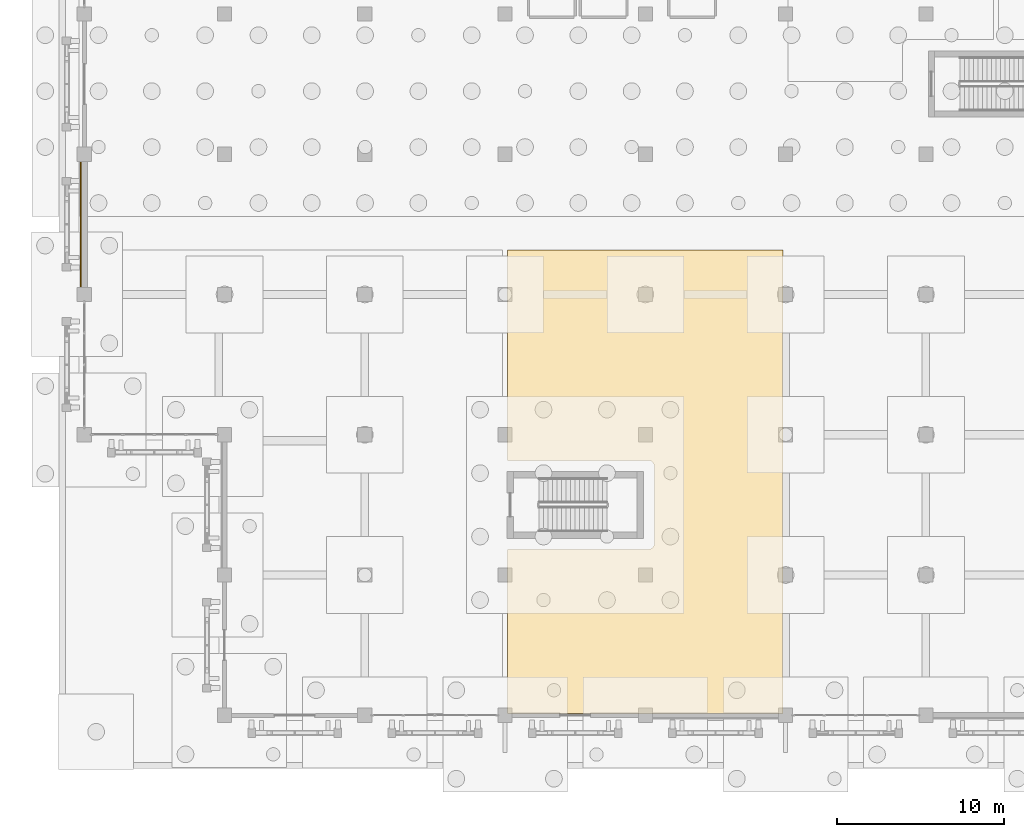
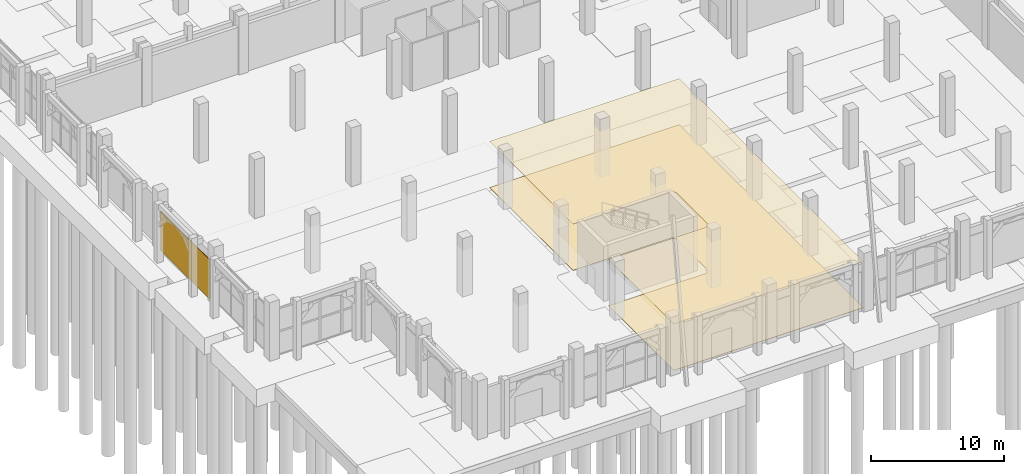
# One storey, part 80 of 98: 3 coverings.
"""IFC4 building model written with IfcOpenShell, lengths in metres."""

from ifc_helpers import new_model, si_unit, direction, frame, origin, origin_2d, place, context, subcontext, project, spatial, polyline, rectangle, outline, extrude, material, layer, layer_set, type_object, element, save


model = new_model("IFC4")

# Units and contexts
model_context = context("Model", 3, precision=1e-05, world=origin(), true_north=direction((0.0, 1.0)))
body_context = subcontext(model_context, "Body", "Model", "MODEL_VIEW")
ifc_project = project(units=[si_unit("LENGTHUNIT", "METRE"), si_unit("AREAUNIT", "SQUARE_METRE"), si_unit("VOLUMEUNIT", "CUBIC_METRE"), si_unit("PLANEANGLEUNIT", "RADIAN"), si_unit("MASSUNIT", "GRAM", prefix="KILO")], contexts=[model_context])

# Site, building, storey
site_placement = place(None, origin())
site = spatial("IfcSite", under=ifc_project, at=site_placement, CompositionType="ELEMENT")
building_placement = place(site_placement, origin())
building = spatial("IfcBuilding", under=site, at=building_placement, Name="Xazarin Passage Department Store", CompositionType="ELEMENT")
storey_placement = place(building_placement, origin())
storey = spatial("IfcBuildingStorey", under=building, at=storey_placement, Name="L00", CompositionType="ELEMENT", Elevation=0.0)

# Coverings
ifc_material_1 = material(Name="Absheron limestone cladding", Category="masonry")
ifc_layer_1 = layer(ifc_material_1, 0.06005859375)
ifc_layer_set_1 = layer_set([ifc_layer_1], Name="Absheron limestone cladding")
covering_type_1 = type_object("IfcCoveringType", Name="ARC-COV-CLD060", PredefinedType="CLADDING", material=ifc_layer_set_1)
covering_1_placement = place(storey_placement, frame((-0.2099609375, 29.39990234375, 0.0), z_axis=(0.0, 0.0, 1.0), x_axis=(0.0, 1.0, 0.0)))
element("IfcCovering", 1, at=covering_1_placement, inside=storey, type_object=covering_type_1, Name="L00 Absheron Limestone Plinth Cladding 195", PredefinedType="CLADDING", context=body_context, shape_type="SweptSolid", body=[
    extrude(rectangle(XDim=7.449951171875, YDim=0.06005859375, at=origin_2d()), origin(), (0.0, 0.0, 1.0), 3.60009765625),
])
ifc_material_2 = material(Name="Acoustic mineral ceiling")
ifc_layer_2 = layer(ifc_material_2, 0.030029296875)
ifc_layer_set_2 = layer_set([ifc_layer_2], Name="Acoustic mineral ceiling")
covering_type_2 = type_object("IfcCoveringType", Name="ARC-COV-CLG030", PredefinedType="CEILING", material=ifc_layer_set_2)
covering_2_placement = place(storey_placement, frame((0.0, 0.0, 4.25)))
element("IfcCovering", 2, at=covering_2_placement, inside=storey, type_object=covering_type_2, Name="L00 Spice and Delicatessen Hall Acoustic Ceiling", PredefinedType="CEILING", context=body_context, shape_type="SweptSolid", body=[
    extrude(outline(polyline([(25.35009765625, 15.27001953125), (33.75, 15.27001953125), (33.789306640625, 15.26806640625), (33.827880859375, 15.26220703125), (33.8662109375, 15.252685546875), (33.903076171875, 15.239501953125), (33.938720703125, 15.222900390625), (33.97216796875, 15.20263671875), (34.00390625, 15.17919921875), (34.03271484375, 15.15283203125), (34.05908203125, 15.123779296875), (34.08251953125, 15.09228515625), (34.102783203125, 15.05859375), (34.11962890625, 15.023193359375), (34.1328125, 14.986083984375), (34.142333984375, 14.947998046875), (34.148193359375, 14.9091796875), (34.14990234375, 14.8701171875), (34.14990234375, 10.330078125), (34.148193359375, 10.290771484375), (34.142333984375, 10.251953125), (34.1328125, 10.2138671875), (34.11962890625, 10.177001953125), (34.102783203125, 10.141357421875), (34.08251953125, 10.10791015625), (34.05908203125, 10.076171875), (34.03271484375, 10.047119140625), (34.00390625, 10.020751953125), (33.97216796875, 9.997314453125), (33.938720703125, 9.977294921875), (33.903076171875, 9.96044921875), (33.8662109375, 9.947265625), (33.827880859375, 9.937744140625), (33.789306640625, 9.931884765625), (33.75, 9.929931640625), (25.35009765625, 9.929931640625), (25.35009765625, 0.10009765625), (41.85009765625, 0.10009765625), (41.85009765625, 27.85009765625), (25.35009765625, 27.85009765625), (25.35009765625, 15.27001953125)])), origin(), (0.0, 0.0, 1.0), 0.030029296875),
])
ifc_material_3 = material(Name="Terrazzo stone flooring", Category="masonry")
ifc_layer_3 = layer(ifc_material_3, 0.02490234375)
ifc_layer_set_3 = layer_set([ifc_layer_3], Name="Terrazzo stone flooring")
covering_type_3 = type_object("IfcCoveringType", Name="ARC-COV-FLR025", PredefinedType="FLOORING", material=ifc_layer_set_3)
covering_3_placement = place(storey_placement, origin())
element("IfcCovering", 3, at=covering_3_placement, inside=storey, type_object=covering_type_3, Name="L00 Spice and Delicatessen Hall Terrazzo Flooring", PredefinedType="FLOORING", context=body_context, shape_type="SweptSolid", body=[
    extrude(outline(polyline([(25.35009765625, 15.27001953125), (33.75, 15.27001953125), (33.789306640625, 15.26806640625), (33.827880859375, 15.26220703125), (33.8662109375, 15.252685546875), (33.903076171875, 15.239501953125), (33.938720703125, 15.222900390625), (33.97216796875, 15.20263671875), (34.00390625, 15.17919921875), (34.03271484375, 15.15283203125), (34.05908203125, 15.123779296875), (34.08251953125, 15.09228515625), (34.102783203125, 15.05859375), (34.11962890625, 15.023193359375), (34.1328125, 14.986083984375), (34.142333984375, 14.947998046875), (34.148193359375, 14.9091796875), (34.14990234375, 14.8701171875), (34.14990234375, 10.330078125), (34.148193359375, 10.290771484375), (34.142333984375, 10.251953125), (34.1328125, 10.2138671875), (34.11962890625, 10.177001953125), (34.102783203125, 10.141357421875), (34.08251953125, 10.10791015625), (34.05908203125, 10.076171875), (34.03271484375, 10.047119140625), (34.00390625, 10.020751953125), (33.97216796875, 9.997314453125), (33.938720703125, 9.977294921875), (33.903076171875, 9.96044921875), (33.8662109375, 9.947265625), (33.827880859375, 9.937744140625), (33.789306640625, 9.931884765625), (33.75, 9.929931640625), (25.35009765625, 9.929931640625), (25.35009765625, 0.10009765625), (41.85009765625, 0.10009765625), (41.85009765625, 27.85009765625), (25.35009765625, 27.85009765625), (25.35009765625, 15.27001953125)])), origin(), (0.0, 0.0, 1.0), 0.02490234375),
])

save(model, "model.ifc")
